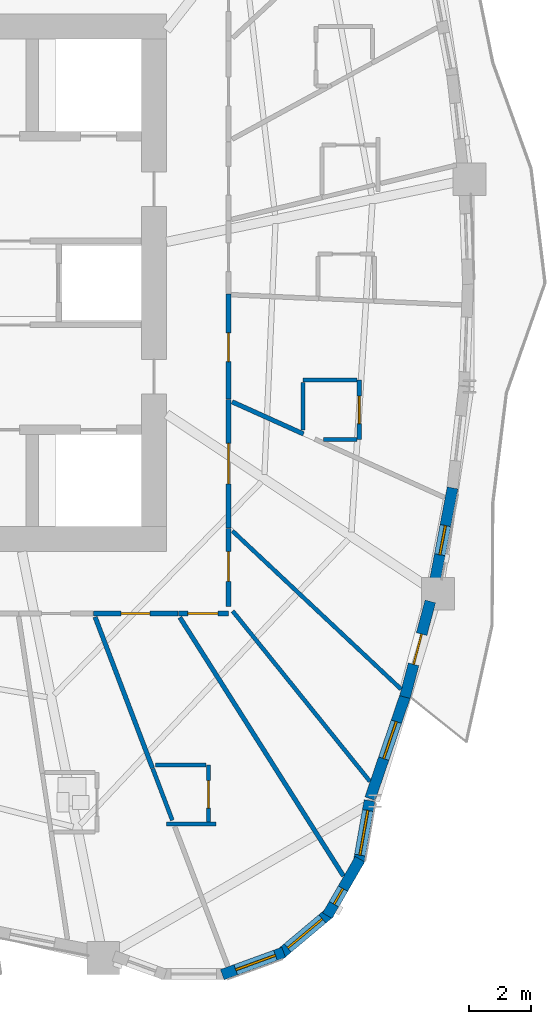
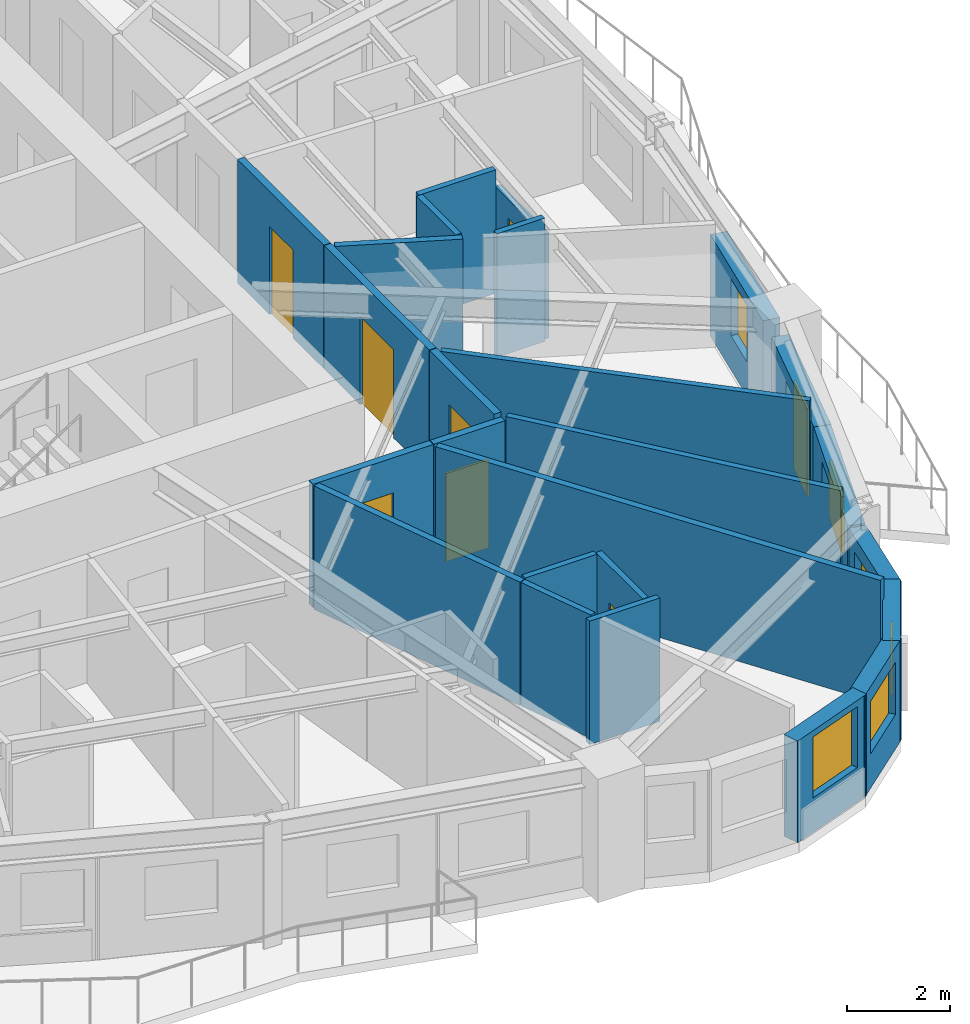
# One storey, part 6 of 14: 25 walls, 8 doors, 6 windows, 14 openings.
"""IFC4 building model written with IfcOpenShell, lengths in metres."""

from ifc_helpers import new_model, si_unit, direction, frame, frame_2d, origin, place, context, subcontext, project, spatial, rectangle, extrude, source, transform, mapped, material, layer, layer_set, type_object, element, fill, save


model = new_model("IFC4")

# Units and contexts
model_context = context("Model", 3, precision=1e-05, world=origin(), true_north=direction((0.0, 1.0)))
body_context = subcontext(model_context, "Body", "Model", "MODEL_VIEW")
ifc_project = project(units=[si_unit("LENGTHUNIT", "METRE"), si_unit("AREAUNIT", "SQUARE_METRE"), si_unit("VOLUMEUNIT", "CUBIC_METRE"), si_unit("PLANEANGLEUNIT", "RADIAN"), si_unit("MASSUNIT", "GRAM", prefix="KILO")], contexts=[model_context])

# Site, building, storey
site_placement = place(None, origin())
site = spatial("IfcSite", under=ifc_project, at=site_placement, CompositionType="ELEMENT")
building_placement = place(site_placement, origin())
building = spatial("IfcBuilding", under=site, at=building_placement, Name="Qafzar Sky-Pleat Residences", CompositionType="ELEMENT")
storey_placement = place(building_placement, frame((0.0, 0.0, 17.39990234375)))
storey = spatial("IfcBuildingStorey", under=building, at=storey_placement, Name="L04", CompositionType="ELEMENT", Elevation=17.39990234375)

# Wall, opening, door
ifc_material_1 = material(Name="Acoustic gypsum plasterboard partition", Category="gypsum")
ifc_layer_1 = layer(ifc_material_1, 0.159912109375)
ifc_layer_set_1 = layer_set([ifc_layer_1], Name="Acoustic gypsum plasterboard partition")
wall_type_1 = type_object("IfcWallType", Name="PART-COR-160", PredefinedType="PARTITIONING", material=ifc_layer_set_1)
wall_1_placement = place(storey_placement, frame((38.679931640625, 22.263916015625, 0.0), z_axis=(0.0, 0.0, 1.0), x_axis=(0.0, -1.0, 0.0)))
wall_1 = element("IfcWall", 1, at=wall_1_placement, inside=storey, type_object=wall_type_1, Name="L04 Partition Wall PART-L04-PW-004", PredefinedType="PARTITIONING", context=body_context, shape_type="SweptSolid", body=[
    extrude(rectangle(XDim=4.101806640625, YDim=0.159912109375, at=frame_2d((2.05078125, 0.0))), origin(), (0.0, 0.0, 1.0), 2.940185546875),
])
opening_1_placement = place(wall_1_placement, frame((1.3984375, 0.0, 0.0)))
opening_1 = element("IfcOpeningElement", 2, at=opening_1_placement, cuts=wall_1, Name="Opening ID-05", PredefinedType="OPENING", context=body_context, shape_type="SweptSolid", body=[
    extrude(rectangle(XDim=1.300048828125, YDim=2.10009765625, at=frame_2d((0.64990234375, 1.050048828125))), frame((0.0, 0.08984375, 0.0), z_axis=(0.0, -1.0, 0.0), x_axis=(1.0, 0.0, 0.0)), (0.0, 0.0, 1.0), 0.179931640625),
])
ifc_material_2 = material(Name="Timber-faced fire door", Category="wood")
door_type_1 = type_object("IfcDoorType", Name="DR-LNG-1300", OperationType="DOUBLE_DOOR_SINGLE_SWING", PredefinedType="DOOR", material=ifc_material_2)
shared_shape_1 = source(origin(), body_context, "Body", "SweptSolid", [
    extrude(rectangle(XDim=1.300048828125, YDim=2.10009765625, at=frame_2d((0.64990234375, 1.050048828125))), frame((0.0, 0.02490234375, 0.0), z_axis=(0.0, -1.0, 0.0), x_axis=(1.0, 0.0, 0.0)), (0.0, 0.0, 1.0), 0.050048828125),
])
door_1_placement = place(opening_1_placement, origin())
door_1 = element("IfcDoor", 3, at=door_1_placement, inside=storey, type_object=door_type_1, Name="L04 Communal Kitchen Door", OperationType="DOUBLE_DOOR_SINGLE_SWING", OverallHeight=2.10009765625, OverallWidth=1.300048828125, PredefinedType="DOOR", context=body_context, shape_type="MappedRepresentation", body=[
    mapped(shared_shape_1, transform((0.0, 0.0, 0.0), x_axis=(1.0, 0.0, 0.0), y_axis=(0.0, 1.0, 0.0), z_axis=(0.0, 0.0, 1.0), scale=1.0)),
])
fill(opening_1, door_1)

wall_2_placement = place(storey_placement, frame((38.679931640625, 25.64208984375, 0.0), z_axis=(0.0, 0.0, 1.0), x_axis=(0.0, -1.0, 0.0)))
wall_2 = element("IfcWall", 4, at=wall_2_placement, inside=storey, type_object=wall_type_1, Name="L04 Partition Wall PART-L04-PW-006", PredefinedType="PARTITIONING", context=body_context, shape_type="SweptSolid", body=[
    extrude(rectangle(XDim=3.363037109375, YDim=0.159912109375, at=frame_2d((1.681640625, 0.0))), origin(), (0.0, 0.0, 1.0), 2.940185546875),
])
opening_2_placement = place(wall_2_placement, frame((1.244384765625, 0.0, 0.0)))
opening_2 = element("IfcOpeningElement", 5, at=opening_2_placement, cuts=wall_2, Name="Opening ID-04", PredefinedType="OPENING", context=body_context, shape_type="SweptSolid", body=[
    extrude(rectangle(XDim=0.919921875, YDim=2.10009765625, at=frame_2d((0.4599609375, 1.050048828125))), frame((0.0, 0.08984375, 0.0), z_axis=(0.0, -1.0, 0.0), x_axis=(1.0, 0.0, 0.0)), (0.0, 0.0, 1.0), 0.179931640625),
])
door_type_2 = type_object("IfcDoorType", Name="DR-BED-920", OperationType="NOTDEFINED", PredefinedType="DOOR", material=ifc_material_2)
shared_shape_2 = source(origin(), body_context, "Body", "SweptSolid", [
    extrude(rectangle(XDim=0.919921875, YDim=2.10009765625, at=frame_2d((0.4599609375, 1.050048828125))), frame((0.0, 0.02490234375, 0.0), z_axis=(0.0, -1.0, 0.0), x_axis=(1.0, 0.0, 0.0)), (0.0, 0.0, 1.0), 0.050048828125),
])
door_2_placement = place(opening_2_placement, origin())
door_2 = element("IfcDoor", 6, at=door_2_placement, inside=storey, type_object=door_type_2, Name="L04 Co-Living Bedroom 10 Door", OperationType="SINGLE_SWING_LEFT", OverallHeight=2.10009765625, OverallWidth=0.919921875, PredefinedType="DOOR", context=body_context, shape_type="MappedRepresentation", body=[
    mapped(shared_shape_2, transform((0.0, 0.0, 0.0), x_axis=(1.0, 0.0, 0.0), y_axis=(0.0, 1.0, 0.0), z_axis=(0.0, 0.0, 1.0), scale=1.0)),
])
fill(opening_2, door_2)

wall_3_placement = place(storey_placement, frame((37.06298828125, 15.419921875, 0.0), z_axis=(0.0, 0.0, 1.0), x_axis=(-1.0, 0.0, 0.0)))
wall_3 = element("IfcWall", 7, at=wall_3_placement, inside=storey, type_object=wall_type_1, Name="L04 Partition Wall PART-L04-PW-010", PredefinedType="PARTITIONING", context=body_context, shape_type="SweptSolid", body=[
    extrude(rectangle(XDim=2.708984375, YDim=0.159912109375, at=frame_2d((1.3544921875, 0.0))), origin(), (0.0, 0.0, 1.0), 2.940185546875),
])
opening_3_placement = place(wall_3_placement, frame((0.8955078125, 0.0, 0.0)))
opening_3 = element("IfcOpeningElement", 8, at=opening_3_placement, cuts=wall_3, Name="Opening ID-04", PredefinedType="OPENING", context=body_context, shape_type="SweptSolid", body=[
    extrude(rectangle(XDim=0.919921875, YDim=2.10009765625, at=frame_2d((0.4599609375, 1.050048828125))), frame((0.0, 0.08984375, 0.0), z_axis=(0.0, -1.0, 0.0), x_axis=(1.0, 0.0, 0.0)), (0.0, 0.0, 1.0), 0.179931640625),
])
door_3_placement = place(opening_3_placement, origin())
door_3 = element("IfcDoor", 9, at=door_3_placement, inside=storey, type_object=door_type_2, Name="L04 Co-Living Bedroom 9 Door", OperationType="SINGLE_SWING_LEFT", OverallHeight=2.10009765625, OverallWidth=0.919921875, PredefinedType="DOOR", context=body_context, shape_type="MappedRepresentation", body=[
    mapped(shared_shape_2, transform((0.0, 0.0, 0.0), x_axis=(1.0, 0.0, 0.0), y_axis=(0.0, 1.0, 0.0), z_axis=(0.0, 0.0, 1.0), scale=1.0)),
])
fill(opening_3, door_3)

wall_4_placement = place(storey_placement, frame((38.679931640625, 18.14697265625, 0.0), z_axis=(0.0, 0.0, 1.0), x_axis=(0.0, -1.0, 0.0)))
wall_4 = element("IfcWall", 10, at=wall_4_placement, inside=storey, type_object=wall_type_1, Name="L04 Partition Wall PART-L04-PW-013", PredefinedType="PARTITIONING", context=body_context, shape_type="SweptSolid", body=[
    extrude(rectangle(XDim=2.5048828125, YDim=0.159912109375, at=frame_2d((1.25244140625, 0.0))), origin(), (0.0, 0.0, 1.0), 2.940185546875),
])
opening_4_placement = place(wall_4_placement, frame((0.74755859375, 0.0, 0.0)))
opening_4 = element("IfcOpeningElement", 11, at=opening_4_placement, cuts=wall_4, Name="Opening ID-08", PredefinedType="OPENING", context=body_context, shape_type="SweptSolid", body=[
    extrude(rectangle(XDim=0.949951171875, YDim=2.10009765625, at=frame_2d((0.47509765625, 1.050048828125))), frame((0.0, 0.08984375, 0.0), z_axis=(0.0, -1.0, 0.0), x_axis=(1.0, 0.0, 0.0)), (0.0, 0.0, 1.0), 0.179931640625),
])
door_type_3 = type_object("IfcDoorType", Name="DR-AWC-950", OperationType="NOTDEFINED", PredefinedType="DOOR", material=ifc_material_2)
shared_shape_3 = source(origin(), body_context, "Body", "SweptSolid", [
    extrude(rectangle(XDim=0.949951171875, YDim=2.10009765625, at=frame_2d((0.47509765625, 1.050048828125))), frame((0.0, 0.02490234375, 0.0), z_axis=(0.0, -1.0, 0.0), x_axis=(1.0, 0.0, 0.0)), (0.0, 0.0, 1.0), 0.050048828125),
])
door_4_placement = place(opening_4_placement, origin())
door_4 = element("IfcDoor", 12, at=door_4_placement, inside=storey, type_object=door_type_3, Name="L04 Accessible Shared Washroom Door", OperationType="SINGLE_SWING_RIGHT", OverallHeight=2.10009765625, OverallWidth=0.949951171875, PredefinedType="DOOR", context=body_context, shape_type="MappedRepresentation", body=[
    mapped(shared_shape_3, transform((0.0, 0.0, 0.0), x_axis=(1.0, 0.0, 0.0), y_axis=(0.0, 1.0, 0.0), z_axis=(0.0, 0.0, 1.0), scale=1.0)),
])
fill(opening_4, door_4)

wall_5_placement = place(storey_placement, frame((38.679931640625, 15.419921875, 0.0), z_axis=(0.0, 0.0, 1.0), x_axis=(-1.0, 0.0, 0.0)))
wall_5 = element("IfcWall", 13, at=wall_5_placement, inside=storey, type_object=wall_type_1, Name="L04 Partition Wall PART-L04-PW-031", PredefinedType="PARTITIONING", context=body_context, shape_type="SweptSolid", body=[
    extrude(rectangle(XDim=1.60205078125, YDim=0.159912109375, at=frame_2d((0.801025390625, 0.0))), origin(), (0.0, 0.0, 1.0), 2.940185546875),
])
opening_5_placement = place(wall_5_placement, frame((0.33740234375, 0.0, 0.0)))
opening_5 = element("IfcOpeningElement", 14, at=opening_5_placement, cuts=wall_5, Name="Opening ID-06", PredefinedType="OPENING", context=body_context, shape_type="SweptSolid", body=[
    extrude(rectangle(XDim=0.9599609375, YDim=2.10009765625, at=frame_2d((0.47998046875, 1.050048828125))), frame((0.0, 0.08984375, 0.0), z_axis=(0.0, -1.0, 0.0), x_axis=(1.0, 0.0, 0.0)), (0.0, 0.0, 1.0), 0.179931640625),
])
door_type_4 = type_object("IfcDoorType", Name="DR-STD-960", OperationType="NOTDEFINED", PredefinedType="DOOR", material=ifc_material_2)
shared_shape_4 = source(origin(), body_context, "Body", "SweptSolid", [
    extrude(rectangle(XDim=0.9599609375, YDim=2.10009765625, at=frame_2d((0.47998046875, 1.050048828125))), frame((0.0, 0.02490234375, 0.0), z_axis=(0.0, -1.0, 0.0), x_axis=(1.0, 0.0, 0.0)), (0.0, 0.0, 1.0), 0.050048828125),
])
door_5_placement = place(opening_5_placement, origin())
door_5 = element("IfcDoor", 15, at=door_5_placement, inside=storey, type_object=door_type_4, Name="L04 Scholar Study Room Door", OperationType="SINGLE_SWING_RIGHT", OverallHeight=2.10009765625, OverallWidth=0.9599609375, PredefinedType="DOOR", context=body_context, shape_type="MappedRepresentation", body=[
    mapped(shared_shape_4, transform((0.0, 0.0, 0.0), x_axis=(1.0, 0.0, 0.0), y_axis=(0.0, 1.0, 0.0), z_axis=(0.0, 0.0, 1.0), scale=1.0)),
])
fill(opening_5, door_5)

# Walls
ifc_layer_2 = layer(ifc_material_1, 0.14501953125)
ifc_layer_set_2 = layer_set([ifc_layer_2], Name="Acoustic gypsum plasterboard partition")
wall_type_2 = type_object("IfcWallType", Name="PART-UNIT-145", PredefinedType="PARTITIONING", material=ifc_layer_set_2)
wall_6_placement = place(storey_placement, frame((37.12451171875, 15.29443359375, 0.0), z_axis=(0.0, 0.0, 1.0), x_axis=(0.534743765269, -0.845014263492, 0.0)))
element("IfcWall", 16, at=wall_6_placement, inside=storey, type_object=wall_type_2, Name="L04 Partition Wall PART-L04-PW-040", PredefinedType="PARTITIONING", context=body_context, shape_type="SweptSolid", body=[
    extrude(rectangle(XDim=9.79736328125, YDim=0.14501953125, at=frame_2d((4.898681640625, 0.0))), origin(), (0.0, 0.0, 1.0), 2.940185546875),
])
wall_7_placement = place(storey_placement, frame((34.4130859375, 15.306884765625, 0.0), z_axis=(0.0, 0.0, 1.0), x_axis=(0.355171610573, -0.934801116304, 0.0)))
element("IfcWall", 17, at=wall_7_placement, inside=storey, type_object=wall_type_2, Name="L04 Partition Wall PART-L04-PW-048", PredefinedType="PARTITIONING", context=body_context, shape_type="SweptSolid", body=[
    extrude(rectangle(XDim=5.177490234375, YDim=0.14501953125, at=frame_2d((2.5888671875, 0.0))), origin(), (0.0, 0.0, 1.0), 2.940185546875),
])
wall_8_placement = place(storey_placement, frame((38.797119140625, 22.1953125, 0.0), z_axis=(0.0, 0.0, 1.0), x_axis=(0.911759201305, -0.410725162165, 0.0)))
element("IfcWall", 18, at=wall_8_placement, inside=storey, type_object=wall_type_2, Name="L04 Partition Wall PART-L04-PW-063", PredefinedType="PARTITIONING", context=body_context, shape_type="SweptSolid", body=[
    extrude(rectangle(XDim=2.506103515625, YDim=0.14501953125, at=frame_2d((1.2529296875, 0.0))), origin(), (0.0, 0.0, 1.0), 2.940185546875),
])

# Wall, opening, door
ifc_material_3 = material(Name="Moisture-resistant gypsum partition", Category="gypsum")
ifc_layer_3 = layer(ifc_material_3, 0.1298828125)
ifc_layer_set_3 = layer_set([ifc_layer_3], Name="Moisture-resistant gypsum partition")
wall_type_3 = type_object("IfcWallType", Name="PART-WET-130", PredefinedType="PARTITIONING", material=ifc_layer_set_3)
wall_9_placement = place(storey_placement, frame((38.037109375, 8.75, 0.0), z_axis=(0.0, 0.0, 1.0), x_axis=(0.0, 1.0, 0.0)))
wall_9 = element("IfcWall", 19, at=wall_9_placement, inside=storey, type_object=wall_type_3, Name="L04 Partition Wall PART-L04-PW-020", PredefinedType="PARTITIONING", context=body_context, shape_type="SweptSolid", body=[
    extrude(rectangle(XDim=1.826904296875, YDim=0.1298828125, at=frame_2d((0.91357421875, 0.0))), origin(), (0.0, 0.0, 1.0), 2.940185546875),
])
opening_6_placement = place(wall_9_placement, frame((0.43701171875, 0.0, 0.0)))
opening_6 = element("IfcOpeningElement", 20, at=opening_6_placement, cuts=wall_9, Name="Opening ID-07", PredefinedType="OPENING", context=body_context, shape_type="SweptSolid", body=[
    extrude(rectangle(XDim=0.8798828125, YDim=2.050048828125, at=frame_2d((0.43994140625, 1.02490234375))), frame((0.0, 0.074951171875, 0.0), z_axis=(0.0, -1.0, 0.0), x_axis=(1.0, 0.0, 0.0)), (0.0, 0.0, 1.0), 0.14990234375),
])
door_type_5 = type_object("IfcDoorType", Name="DR-WET-880", OperationType="NOTDEFINED", PredefinedType="DOOR", material=ifc_material_2)
shared_shape_5 = source(origin(), body_context, "Body", "SweptSolid", [
    extrude(rectangle(XDim=0.8798828125, YDim=2.050048828125, at=frame_2d((0.43994140625, 1.02490234375))), frame((0.0, 0.02490234375, 0.0), z_axis=(0.0, -1.0, 0.0), x_axis=(1.0, 0.0, 0.0)), (0.0, 0.0, 1.0), 0.050048828125),
])
door_6_placement = place(opening_6_placement, origin())
door_6 = element("IfcDoor", 21, at=door_6_placement, inside=storey, type_object=door_type_5, Name="L04 En-suite Bathroom 9 Door", OperationType="SINGLE_SWING_LEFT", OverallHeight=2.050048828125, OverallWidth=0.8798828125, PredefinedType="DOOR", context=body_context, shape_type="MappedRepresentation", body=[
    mapped(shared_shape_5, transform((0.0, 0.0, 0.0), x_axis=(1.0, 0.0, 0.0), y_axis=(0.0, 1.0, 0.0), z_axis=(0.0, 0.0, 1.0), scale=1.0)),
])
fill(opening_6, door_6)

wall_10_placement = place(storey_placement, frame((42.866943359375, 20.986083984375, 0.0), z_axis=(0.0, 0.0, 1.0), x_axis=(0.0, 1.0, 0.0)))
wall_10 = element("IfcWall", 22, at=wall_10_placement, inside=storey, type_object=wall_type_3, Name="L04 Partition Wall PART-L04-PW-023", PredefinedType="PARTITIONING", context=body_context, shape_type="SweptSolid", body=[
    extrude(rectangle(XDim=1.89990234375, YDim=0.1298828125, at=frame_2d((0.949951171875, 0.0))), origin(), (0.0, 0.0, 1.0), 2.508056640625),
])
opening_7_placement = place(wall_10_placement, frame((0.510009765625, 0.0, 0.0)))
opening_7 = element("IfcOpeningElement", 23, at=opening_7_placement, cuts=wall_10, Name="Opening ID-07", PredefinedType="OPENING", context=body_context, shape_type="SweptSolid", body=[
    extrude(rectangle(XDim=0.8798828125, YDim=2.050048828125, at=frame_2d((0.43994140625, 1.02490234375))), frame((0.0, 0.074951171875, 0.0), z_axis=(0.0, -1.0, 0.0), x_axis=(1.0, 0.0, 0.0)), (0.0, 0.0, 1.0), 0.14990234375),
])
door_7_placement = place(opening_7_placement, origin())
door_7 = element("IfcDoor", 24, at=door_7_placement, inside=storey, type_object=door_type_5, Name="L04 En-suite Bathroom 10 Door", OperationType="SINGLE_SWING_RIGHT", OverallHeight=2.050048828125, OverallWidth=0.8798828125, PredefinedType="DOOR", context=body_context, shape_type="MappedRepresentation", body=[
    mapped(shared_shape_5, transform((0.0, 0.0, 0.0), x_axis=(1.0, 0.0, 0.0), y_axis=(0.0, 1.0, 0.0), z_axis=(0.0, 0.0, 1.0), scale=1.0)),
])
fill(opening_7, door_7)

# Walls
wall_11_placement = place(storey_placement, frame((38.810302734375, 18.060791015625, 0.0), z_axis=(0.0, 0.0, 1.0), x_axis=(0.729196389153, -0.684304483433, 0.0)))
element("IfcWall", 25, at=wall_11_placement, inside=storey, type_object=wall_type_3, Name="L04 Partition Wall PART-L04-PW-045", PredefinedType="PARTITIONING", context=body_context, shape_type="SweptSolid", body=[
    extrude(rectangle(XDim=7.396240234375, YDim=0.1298828125, at=frame_2d((3.6982421875, 0.0))), origin(), (0.0, 0.0, 1.0), 2.940185546875),
])
wall_12_placement = place(storey_placement, frame((38.815673828125, 15.497802734375, 0.0), z_axis=(0.0, 0.0, 1.0), x_axis=(0.627528755525, -0.778593386171, 0.0)))
element("IfcWall", 26, at=wall_12_placement, inside=storey, type_object=wall_type_3, Name="L04 Partition Wall PART-L04-PW-046", PredefinedType="PARTITIONING", context=body_context, shape_type="SweptSolid", body=[
    extrude(rectangle(XDim=6.997802734375, YDim=0.1298828125, at=frame_2d((3.4990234375, 0.0))), origin(), (0.0, 0.0, 1.0), 2.940185546875),
])
wall_13_placement = place(storey_placement, frame((36.25732421875, 10.452880859375, 0.0), z_axis=(0.0, 0.0, 1.0), x_axis=(0.355345777079, -0.934734924303, 0.0)))
element("IfcWall", 27, at=wall_13_placement, inside=storey, type_object=wall_type_3, Name="L04 Partition Wall PART-L04-PW-068", PredefinedType="PARTITIONING", context=body_context, shape_type="SweptSolid", body=[
    extrude(rectangle(XDim=1.766357421875, YDim=0.1298828125, at=frame_2d((0.88330078125, 0.0))), origin(), (0.0, 0.0, 1.0), 2.940185546875),
])
wall_14_placement = place(storey_placement, frame((36.347412109375, 10.576904296875, 0.0), z_axis=(0.0, 0.0, 1.0), x_axis=(1.0, 0.0, 0.0)))
element("IfcWall", 28, at=wall_14_placement, inside=storey, type_object=wall_type_3, Name="L04 Partition Wall PART-L04-PW-076", PredefinedType="PARTITIONING", context=body_context, shape_type="SweptSolid", body=[
    extrude(rectangle(XDim=1.61669921875, YDim=0.1298828125, at=frame_2d((0.808349609375, 0.0))), origin(), (0.0, 0.0, 1.0), 2.940185546875),
])
wall_15_placement = place(storey_placement, frame((41.06689453125, 22.885986328125, 0.0), z_axis=(0.0, 0.0, 1.0), x_axis=(1.0, 0.0, 0.0)))
element("IfcWall", 29, at=wall_15_placement, inside=storey, type_object=wall_type_3, Name="L04 Partition Wall PART-L04-PW-077", PredefinedType="PARTITIONING", context=body_context, shape_type="SweptSolid", body=[
    extrude(rectangle(XDim=1.72705078125, YDim=0.1298828125, at=frame_2d((0.863525390625, 0.0))), origin(), (0.0, 0.0, 1.0), 2.940185546875),
])
wall_16_placement = place(storey_placement, frame((41.06689453125, 21.288818359375, 0.0), z_axis=(0.0, 0.0, 1.0), x_axis=(0.0, 1.0, 0.0)))
element("IfcWall", 30, at=wall_16_placement, inside=storey, type_object=wall_type_3, Name="L04 Partition Wall PART-L04-PW-082", PredefinedType="PARTITIONING", context=body_context, shape_type="SweptSolid", body=[
    extrude(rectangle(XDim=1.524169921875, YDim=0.1298828125, at=frame_2d((0.76220703125, 0.0))), origin(), (0.0, 0.0, 1.0), 2.940185546875),
])
wall_17_placement = place(storey_placement, frame((41.720947265625, 20.986083984375, 0.0), z_axis=(0.0, 0.0, 1.0), x_axis=(1.0, 0.0, 0.0)))
element("IfcWall", 31, at=wall_17_placement, inside=storey, type_object=wall_type_3, Name="L04 Partition Wall PART-L04-PW-091", PredefinedType="PARTITIONING", context=body_context, shape_type="SweptSolid", body=[
    extrude(rectangle(XDim=1.072998046875, YDim=0.1298828125, at=frame_2d((0.53662109375, 0.0))), origin(), (0.0, 0.0, 1.0), 2.940185546875),
])
wall_18_placement = place(storey_placement, frame((36.69189453125, 8.677001953125, 0.0), z_axis=(0.0, 0.0, 1.0), x_axis=(1.0, 0.0, 0.0)))
element("IfcWall", 32, at=wall_18_placement, inside=storey, type_object=wall_type_3, Name="L04 Partition Wall PART-L04-PW-096", PredefinedType="PARTITIONING", context=body_context, shape_type="SweptSolid", body=[
    extrude(rectangle(XDim=1.585205078125, YDim=0.1298828125, at=frame_2d((0.79248046875, 0.0))), origin(), (0.0, 0.0, 1.0), 2.940185546875),
])

# Wall, opening, window
ifc_material_4 = material(Name="Precast concrete C40/50 with honed Riyadh limestone", Category="concrete")
ifc_layer_4 = layer(ifc_material_4, 0.35009765625)
ifc_layer_set_4 = layer_set([ifc_layer_4], Name="Precast concrete C40/50 with honed Riyadh limestone")
wall_type_4 = type_object("IfcWallType", Name="WALL-EXT-350", PredefinedType="SOLIDWALL", material=ifc_layer_set_4)
wall_19_placement = place(storey_placement, frame((38.484130859375, 3.859619140625, 0.0), z_axis=(0.0, 0.0, 1.0), x_axis=(0.939711556618, 0.341968113072, 0.0)))
wall_19 = element("IfcWall", 33, at=wall_19_placement, inside=storey, type_object=wall_type_4, Name="L04 Limestone Facade Wall 19", PredefinedType="SOLIDWALL", context=body_context, shape_type="SweptSolid", body=[
    extrude(rectangle(XDim=2.09033203125, YDim=0.35009765625, at=frame_2d((1.045166015625, 0.0))), origin(), (0.0, 0.0, 1.0), 2.420166015625),
])
opening_8_placement = place(wall_19_placement, frame((0.459228515625, 0.0, 0.820068359375)))
opening_8 = element("IfcOpeningElement", 34, at=opening_8_placement, cuts=wall_19, Name="Opening WN-04", PredefinedType="OPENING", context=body_context, shape_type="SweptSolid", body=[
    extrude(rectangle(XDim=1.35009765625, YDim=1.449951171875, at=frame_2d((0.675048828125, 0.72509765625))), frame((0.0, 0.18505859375, 0.0), z_axis=(0.0, -1.0, 0.0), x_axis=(1.0, 0.0, 0.0)), (0.0, 0.0, 1.0), 0.3701171875),
])
ifc_material_5 = material(Name="Solar-control low-E glass in bronze aluminium frame", Category="glass")
window_type_1 = type_object("IfcWindowType", Name="WIN-04", PartitioningType="SINGLE_PANEL", PredefinedType="WINDOW", material=ifc_material_5)
shared_shape_6 = source(origin(), body_context, "Body", "SweptSolid", [
    extrude(rectangle(XDim=1.35009765625, YDim=1.449951171875, at=frame_2d((0.675048828125, 0.72509765625))), frame((0.0, 0.030029296875, 0.0), z_axis=(0.0, -1.0, 0.0), x_axis=(1.0, 0.0, 0.0)), (0.0, 0.0, 1.0), 0.06005859375),
])
window_1_placement = place(opening_8_placement, origin())
window_1 = element("IfcWindow", 35, at=window_1_placement, inside=storey, type_object=window_type_1, Name="L04 Punched Facade Window 19", OverallHeight=1.449951171875, OverallWidth=1.35009765625, PartitioningType="SINGLE_PANEL", PredefinedType="WINDOW", context=body_context, shape_type="MappedRepresentation", body=[
    mapped(shared_shape_6, transform((0.0, 0.0, 0.0), x_axis=(1.0, 0.0, 0.0), y_axis=(0.0, 1.0, 0.0), z_axis=(0.0, 0.0, 1.0), scale=1.0)),
])
fill(opening_8, window_1)

wall_20_placement = place(storey_placement, frame((40.330810546875, 4.506591796875, 0.0), z_axis=(0.0, 0.0, 1.0), x_axis=(0.766024572719, 0.642811289563, 0.0)))
wall_20 = element("IfcWall", 36, at=wall_20_placement, inside=storey, type_object=wall_type_4, Name="L04 Limestone Facade Wall 20", PredefinedType="SOLIDWALL", context=body_context, shape_type="SweptSolid", body=[
    extrude(rectangle(XDim=2.09033203125, YDim=0.35009765625, at=frame_2d((1.045166015625, 0.0))), origin(), (0.0, 0.0, 1.0), 2.420166015625),
])
opening_9_placement = place(wall_20_placement, frame((0.3203125, 0.0, 0.820068359375)))
opening_9 = element("IfcOpeningElement", 37, at=opening_9_placement, cuts=wall_20, Name="Opening WN-15", PredefinedType="OPENING", context=body_context, shape_type="SweptSolid", body=[
    extrude(rectangle(XDim=1.449951171875, YDim=1.25, at=frame_2d((0.72509765625, 0.625))), frame((0.0, 0.18505859375, 0.0), z_axis=(0.0, -1.0, 0.0), x_axis=(1.0, 0.0, 0.0)), (0.0, 0.0, 1.0), 0.3701171875),
])
window_type_2 = type_object("IfcWindowType", Name="WIN-15", PartitioningType="SINGLE_PANEL", PredefinedType="WINDOW", material=ifc_material_5)
shared_shape_7 = source(origin(), body_context, "Body", "SweptSolid", [
    extrude(rectangle(XDim=1.449951171875, YDim=1.25, at=frame_2d((0.72509765625, 0.625))), frame((0.0, 0.030029296875, 0.0), z_axis=(0.0, -1.0, 0.0), x_axis=(1.0, 0.0, 0.0)), (0.0, 0.0, 1.0), 0.06005859375),
])
window_2_placement = place(opening_9_placement, origin())
window_2 = element("IfcWindow", 38, at=window_2_placement, inside=storey, type_object=window_type_2, Name="L04 Punched Facade Window 20", OverallHeight=1.25, OverallWidth=1.449951171875, PartitioningType="SINGLE_PANEL", PredefinedType="WINDOW", context=body_context, shape_type="MappedRepresentation", body=[
    mapped(shared_shape_7, transform((0.0, 0.0, 0.0), x_axis=(1.0, 0.0, 0.0), y_axis=(0.0, 1.0, 0.0), z_axis=(0.0, 0.0, 1.0), scale=1.0)),
])
fill(opening_9, window_2)

wall_21_placement = place(storey_placement, frame((41.844970703125, 5.746337890625, 0.0), z_axis=(0.0, 0.0, 1.0), x_axis=(0.499995423472, 0.866028046028, 0.0)))
wall_21 = element("IfcWall", 39, at=wall_21_placement, inside=storey, type_object=wall_type_4, Name="L04 Limestone Facade Wall 21", PredefinedType="SOLIDWALL", context=body_context, shape_type="SweptSolid", body=[
    extrude(rectangle(XDim=2.09033203125, YDim=0.35009765625, at=frame_2d((1.045166015625, 0.0))), origin(), (0.0, 0.0, 1.0), 2.420166015625),
])
opening_10_placement = place(wall_21_placement, frame((0.423828125, 0.0, 0.820068359375)))
opening_10 = element("IfcOpeningElement", 40, at=opening_10_placement, cuts=wall_21, Name="Opening WN-17", PredefinedType="OPENING", context=body_context, shape_type="SweptSolid", body=[
    extrude(rectangle(XDim=0.580078125, YDim=1.35009765625, at=frame_2d((0.2900390625, 0.675048828125))), frame((0.0, 0.18505859375, 0.0), z_axis=(0.0, -1.0, 0.0), x_axis=(1.0, 0.0, 0.0)), (0.0, 0.0, 1.0), 0.3701171875),
])
window_type_3 = type_object("IfcWindowType", Name="WIN-17", PartitioningType="SINGLE_PANEL", PredefinedType="WINDOW", material=ifc_material_5)
shared_shape_8 = source(origin(), body_context, "Body", "SweptSolid", [
    extrude(rectangle(XDim=0.580078125, YDim=1.35009765625, at=frame_2d((0.2900390625, 0.675048828125))), frame((0.0, 0.030029296875, 0.0), z_axis=(0.0, -1.0, 0.0), x_axis=(1.0, 0.0, 0.0)), (0.0, 0.0, 1.0), 0.06005859375),
])
window_3_placement = place(opening_10_placement, origin())
window_3 = element("IfcWindow", 41, at=window_3_placement, inside=storey, type_object=window_type_3, Name="L04 Punched Facade Window 21", OverallHeight=1.35009765625, OverallWidth=0.580078125, PartitioningType="SINGLE_PANEL", PredefinedType="WINDOW", context=body_context, shape_type="MappedRepresentation", body=[
    mapped(shared_shape_8, transform((0.0, 0.0, 0.0), x_axis=(1.0, 0.0, 0.0), y_axis=(0.0, 1.0, 0.0), z_axis=(0.0, 0.0, 1.0), scale=1.0)),
])
fill(opening_10, window_3)

wall_22_placement = place(storey_placement, frame((42.84375, 7.42919921875, 0.0), z_axis=(0.0, 0.0, 1.0), x_axis=(0.17370309897, 0.984798067326, 0.0)))
wall_22 = element("IfcWall", 42, at=wall_22_placement, inside=storey, type_object=wall_type_4, Name="L04 Limestone Facade Wall 22", PredefinedType="SOLIDWALL", context=body_context, shape_type="SweptSolid", body=[
    extrude(rectangle(XDim=2.032470703125, YDim=0.35009765625, at=frame_2d((1.01611328125, 0.0))), origin(), (0.0, 0.0, 1.0), 2.420166015625),
])
opening_11_placement = place(wall_22_placement, frame((0.26123046875, 0.0, 0.820068359375)))
opening_11 = element("IfcOpeningElement", 43, at=opening_11_placement, cuts=wall_22, Name="Opening WN-15", PredefinedType="OPENING", context=body_context, shape_type="SweptSolid", body=[
    extrude(rectangle(XDim=1.449951171875, YDim=1.25, at=frame_2d((0.72509765625, 0.625))), frame((0.0, 0.18505859375, 0.0), z_axis=(0.0, -1.0, 0.0), x_axis=(1.0, 0.0, 0.0)), (0.0, 0.0, 1.0), 0.3701171875),
])
window_4_placement = place(opening_11_placement, origin())
window_4 = element("IfcWindow", 44, at=window_4_placement, inside=storey, type_object=window_type_2, Name="L04 Punched Facade Window 22", OverallHeight=1.25, OverallWidth=1.449951171875, PartitioningType="SINGLE_PANEL", PredefinedType="WINDOW", context=body_context, shape_type="MappedRepresentation", body=[
    mapped(shared_shape_7, transform((0.0, 0.0, 0.0), x_axis=(1.0, 0.0, 0.0), y_axis=(0.0, 1.0, 0.0), z_axis=(0.0, 0.0, 1.0), scale=1.0)),
])
fill(opening_11, window_4)

wall_23_placement = place(storey_placement, frame((43.21337890625, 9.49560546875, 0.0), z_axis=(0.0, 0.0, 1.0), x_axis=(0.323599506414, 0.946194144692, 0.0)))
wall_23 = element("IfcWall", 45, at=wall_23_placement, inside=storey, type_object=wall_type_4, Name="L04 Limestone Facade Wall 23", PredefinedType="SOLIDWALL", context=body_context, shape_type="SweptSolid", body=[
    extrude(rectangle(XDim=3.5224609375, YDim=0.35009765625, at=frame_2d((1.76123046875, 0.0))), origin(), (0.0, 0.0, 1.0), 2.420166015625),
])
opening_12_placement = place(wall_23_placement, frame((1.35107421875, 0.0, 0.820068359375)))
opening_12 = element("IfcOpeningElement", 46, at=opening_12_placement, cuts=wall_23, Name="Opening WN-11", PredefinedType="OPENING", context=body_context, shape_type="SweptSolid", body=[
    extrude(rectangle(XDim=1.25, YDim=1.35009765625, at=frame_2d((0.625, 0.675048828125))), frame((0.0, 0.18505859375, 0.0), z_axis=(0.0, -1.0, 0.0), x_axis=(1.0, 0.0, 0.0)), (0.0, 0.0, 1.0), 0.3701171875),
])
window_type_4 = type_object("IfcWindowType", Name="WIN-11", PartitioningType="SINGLE_PANEL", PredefinedType="WINDOW", material=ifc_material_5)
shared_shape_9 = source(origin(), body_context, "Body", "SweptSolid", [
    extrude(rectangle(XDim=1.25, YDim=1.35009765625, at=frame_2d((0.625, 0.675048828125))), frame((0.0, 0.030029296875, 0.0), z_axis=(0.0, -1.0, 0.0), x_axis=(1.0, 0.0, 0.0)), (0.0, 0.0, 1.0), 0.06005859375),
])
window_5_placement = place(opening_12_placement, origin())
window_5 = element("IfcWindow", 47, at=window_5_placement, inside=storey, type_object=window_type_4, Name="L04 Punched Facade Window 23-2", OverallHeight=1.35009765625, OverallWidth=1.25, PartitioningType="SINGLE_PANEL", PredefinedType="WINDOW", context=body_context, shape_type="MappedRepresentation", body=[
    mapped(shared_shape_9, transform((0.0, 0.0, 0.0), x_axis=(1.0, 0.0, 0.0), y_axis=(0.0, 1.0, 0.0), z_axis=(0.0, 0.0, 1.0), scale=1.0)),
])
fill(opening_12, window_5)

# Wall, opening, door
wall_24_placement = place(storey_placement, frame((44.32763671875, 12.744384765625, 0.0), z_axis=(0.0, 0.0, 1.0), x_axis=(0.257063268192, 0.966394575806, 0.0)))
wall_24 = element("IfcWall", 48, at=wall_24_placement, inside=storey, type_object=wall_type_4, Name="L04 Limestone Facade Wall 24", PredefinedType="SOLIDWALL", context=body_context, shape_type="SweptSolid", body=[
    extrude(rectangle(XDim=3.169189453125, YDim=0.35009765625, at=frame_2d((1.58447265625, 0.0))), origin(), (0.0, 0.0, 1.0), 2.420166015625),
])
opening_13_placement = place(wall_24_placement, frame((1.084716796875, 0.0, 0.0)))
opening_13 = element("IfcOpeningElement", 49, at=opening_13_placement, cuts=wall_24, Name="Opening ED-05", PredefinedType="OPENING", context=body_context, shape_type="SweptSolid", body=[
    extrude(rectangle(XDim=1.0, YDim=2.10009765625, at=frame_2d((0.5, 1.050048828125))), frame((0.0, 0.18505859375, 0.0), z_axis=(0.0, -1.0, 0.0), x_axis=(1.0, 0.0, 0.0)), (0.0, 0.0, 1.0), 0.3701171875),
])
ifc_material_6 = material(Name="Glazed bronze aluminium door", Category="aluminium")
door_type_6 = type_object("IfcDoorType", Name="DR-BAL-1000", OperationType="NOTDEFINED", PredefinedType="DOOR", material=ifc_material_6)
shared_shape_10 = source(origin(), body_context, "Body", "SweptSolid", [
    extrude(rectangle(XDim=1.0, YDim=2.10009765625, at=frame_2d((0.5, 1.050048828125))), frame((0.0, 0.02490234375, 0.0), z_axis=(0.0, -1.0, 0.0), x_axis=(1.0, 0.0, 0.0)), (0.0, 0.0, 1.0), 0.050048828125),
])
door_8_placement = place(opening_13_placement, origin())
door_8 = element("IfcDoor", 50, at=door_8_placement, inside=storey, type_object=door_type_6, Name="L04 Glazed Balcony Door 1", OperationType="SINGLE_SWING_LEFT", OverallHeight=2.10009765625, OverallWidth=1.0, PredefinedType="DOOR", context=body_context, shape_type="MappedRepresentation", body=[
    mapped(shared_shape_10, transform((0.0, 0.0, 0.0), x_axis=(1.0, 0.0, 0.0), y_axis=(0.0, 1.0, 0.0), z_axis=(0.0, 0.0, 1.0), scale=1.0)),
])
fill(opening_13, door_8)

# Wall, opening, window
wall_25_placement = place(storey_placement, frame((45.272705078125, 16.37939453125, 0.0), z_axis=(0.0, 0.0, 1.0), x_axis=(0.186712111557, 0.982414671815, 0.0)))
wall_25 = element("IfcWall", 51, at=wall_25_placement, inside=storey, type_object=wall_type_4, Name="L04 Limestone Facade Wall 25", PredefinedType="SOLIDWALL", context=body_context, shape_type="SweptSolid", body=[
    extrude(rectangle(XDim=3.11328125, YDim=0.35009765625, at=frame_2d((1.556640625, 0.0))), origin(), (0.0, 0.0, 1.0), 2.420166015625),
])
opening_14_placement = place(wall_25_placement, frame((0.938720703125, 0.0, 0.820068359375)))
opening_14 = element("IfcOpeningElement", 52, at=opening_14_placement, cuts=wall_25, Name="Opening WN-12", PredefinedType="OPENING", context=body_context, shape_type="SweptSolid", body=[
    extrude(rectangle(XDim=0.949951171875, YDim=1.35009765625, at=frame_2d((0.47509765625, 0.675048828125))), frame((0.0, 0.18505859375, 0.0), z_axis=(0.0, -1.0, 0.0), x_axis=(1.0, 0.0, 0.0)), (0.0, 0.0, 1.0), 0.3701171875),
])
window_type_5 = type_object("IfcWindowType", Name="WIN-12", PartitioningType="SINGLE_PANEL", PredefinedType="WINDOW", material=ifc_material_5)
shared_shape_11 = source(origin(), body_context, "Body", "SweptSolid", [
    extrude(rectangle(XDim=0.949951171875, YDim=1.35009765625, at=frame_2d((0.47509765625, 0.675048828125))), frame((0.0, 0.030029296875, 0.0), z_axis=(0.0, -1.0, 0.0), x_axis=(1.0, 0.0, 0.0)), (0.0, 0.0, 1.0), 0.06005859375),
])
window_6_placement = place(opening_14_placement, origin())
window_6 = element("IfcWindow", 53, at=window_6_placement, inside=storey, type_object=window_type_5, Name="L04 Punched Facade Window 25", OverallHeight=1.35009765625, OverallWidth=0.949951171875, PartitioningType="SINGLE_PANEL", PredefinedType="WINDOW", context=body_context, shape_type="MappedRepresentation", body=[
    mapped(shared_shape_11, transform((0.0, 0.0, 0.0), x_axis=(1.0, 0.0, 0.0), y_axis=(0.0, 1.0, 0.0), z_axis=(0.0, 0.0, 1.0), scale=1.0)),
])
fill(opening_14, window_6)

save(model, "model.ifc")
